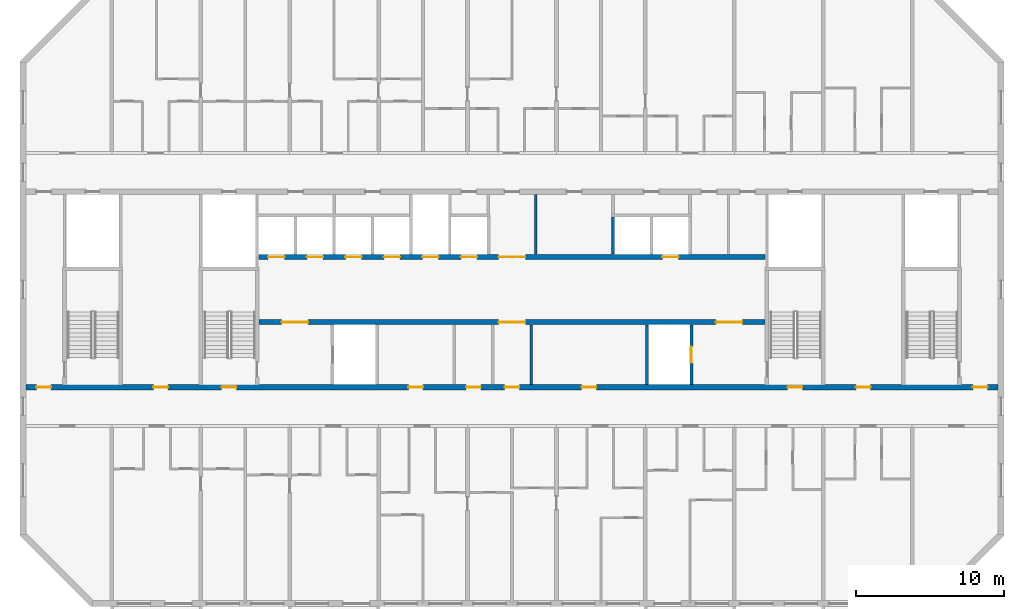
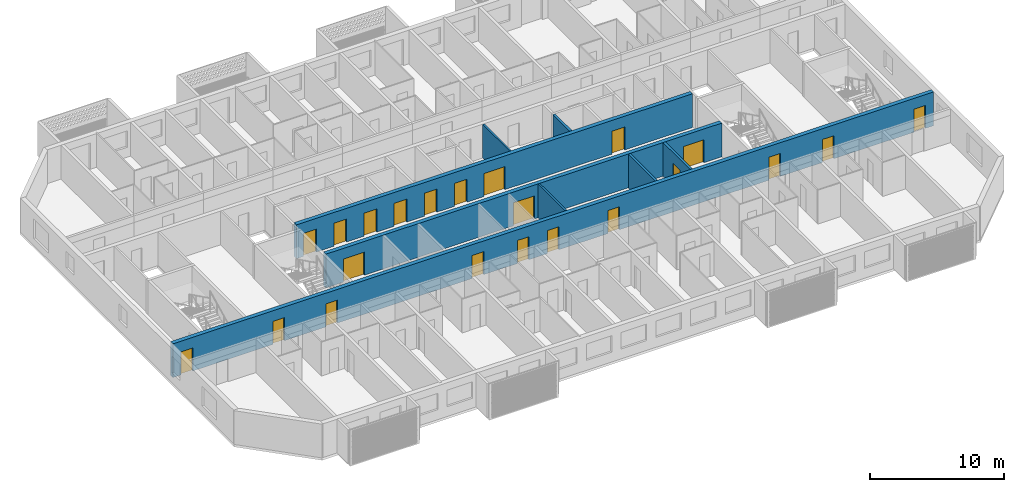
# One storey, part 6 of 26: 22 doors, 8 walls, 22 openings.
"""IFC4 building model written with IfcOpenShell, lengths in metres."""

from ifc_helpers import new_model, si_unit, direction, frame, frame_2d, origin, place, context, subcontext, project, spatial, rectangle, extrude, material, layer, layer_set, type_object, element, fill, save


model = new_model("IFC4")

# Units and contexts
model_context = context("Model", 3, precision=1e-05, world=origin(), true_north=direction((0.0, 1.0)))
body_context = subcontext(model_context, "Body", "Model", "MODEL_VIEW")
ifc_project = project(units=[si_unit("LENGTHUNIT", "METRE"), si_unit("AREAUNIT", "SQUARE_METRE"), si_unit("VOLUMEUNIT", "CUBIC_METRE"), si_unit("PLANEANGLEUNIT", "RADIAN"), si_unit("MASSUNIT", "GRAM", prefix="KILO")], contexts=[model_context])

# Site, building, storey
site_placement = place(None, origin())
site = spatial("IfcSite", under=ifc_project, at=site_placement, CompositionType="ELEMENT")
building_placement = place(site_placement, origin())
building = spatial("IfcBuilding", under=site, at=building_placement, Name="Poui Terraces", CompositionType="ELEMENT")
storey_placement = place(building_placement, frame((0.0, 0.0, 241.199951171875)))
storey = spatial("IfcBuildingStorey", under=building, at=storey_placement, Name="L67", CompositionType="ELEMENT", Elevation=241.199951171875)

# Wall, openings, doors
ifc_material_1 = material(Name="Concrete 50 MPa", Category="concrete")
ifc_layer_1 = layer(ifc_material_1, 0.35009765625)
ifc_layer_set_1 = layer_set([ifc_layer_1], Name="Concrete 50 MPa")
wall_type_1 = type_object("IfcWallType", Name="CORE WALL 350 50 MPA", PredefinedType="SOLIDWALL", material=ifc_layer_set_1)
wall_1_placement = place(storey_placement, frame((33.925048828125, 19.0, 0.0), z_axis=(0.0, 0.0, 1.0), x_axis=(1.0, 0.0, 0.0)))
wall_1 = element("IfcWall", 1, at=wall_1_placement, inside=storey, type_object=wall_type_1, Name="CORE WALL", PredefinedType="SOLIDWALL", context=body_context, shape_type="SweptSolid", body=[
    extrude(rectangle(XDim=34.14990234375, YDim=0.35009765625, at=frame_2d((17.074951171875, 0.0))), origin(), (0.0, 0.0, 1.0), 3.080078125),
])
opening_1_placement = place(wall_1_placement, frame((16.175048828125, 0.0, 0.0)))
opening_1 = element("IfcOpeningElement", 2, at=opening_1_placement, cuts=wall_1, Name="Opening FDD60", PredefinedType="OPENING", context=body_context, shape_type="SweptSolid", body=[
    extrude(rectangle(XDim=1.800048828125, YDim=2.10009765625, at=frame_2d((0.89990234375, 1.050048828125))), frame((0.0, 0.18505859375, 0.0), z_axis=(0.0, -1.0, 0.0), x_axis=(1.0, 0.0, 0.0)), (0.0, 0.0, 1.0), 0.3701171875),
])
opening_2_placement = place(wall_1_placement, frame((1.52490234375, 0.0, 0.0)))
opening_2 = element("IfcOpeningElement", 3, at=opening_2_placement, cuts=wall_1, Name="Opening FDD60", PredefinedType="OPENING", context=body_context, shape_type="SweptSolid", body=[
    extrude(rectangle(XDim=1.800048828125, YDim=2.10009765625, at=frame_2d((0.89990234375, 1.050048828125))), frame((0.0, 0.18505859375, 0.0), z_axis=(0.0, -1.0, 0.0), x_axis=(1.0, 0.0, 0.0)), (0.0, 0.0, 1.0), 0.3701171875),
])
opening_3_placement = place(wall_1_placement, frame((30.824951171875, 0.0, 0.0)))
opening_3 = element("IfcOpeningElement", 4, at=opening_3_placement, cuts=wall_1, Name="Opening FDD60", PredefinedType="OPENING", context=body_context, shape_type="SweptSolid", body=[
    extrude(rectangle(XDim=1.800048828125, YDim=2.10009765625, at=frame_2d((0.89990234375, 1.050048828125))), frame((0.0, 0.18505859375, 0.0), z_axis=(0.0, -1.0, 0.0), x_axis=(1.0, 0.0, 0.0)), (0.0, 0.0, 1.0), 0.3701171875),
])
ifc_material_2 = material(Name="Steel fire door", Category="steel")
door_type_1 = type_object("IfcDoorType", Name="DOUBLE LOBBY FIRE DOOR 1800 X 2100", OperationType="DOUBLE_DOOR_SINGLE_SWING", PredefinedType="DOOR", material=ifc_material_2)
door_1_placement = place(opening_1_placement, frame((1.800048828125, 0.0, 0.0), z_axis=(0.0, 0.0, 1.0), x_axis=(-1.0, 0.0, 0.0)))
door_1 = element("IfcDoor", 5, at=door_1_placement, inside=storey, type_object=door_type_1, Name="DOUBLE LOBBY FIRE DOOR 100", OperationType="DOUBLE_DOOR_SINGLE_SWING", OverallHeight=2.10009765625, OverallWidth=1.800048828125, PredefinedType="DOOR", context=body_context, shape_type="SweptSolid", body=[
    extrude(rectangle(XDim=1.800048828125, YDim=2.10009765625, at=frame_2d((0.89990234375, 1.050048828125))), frame((0.0, 0.02490234375, 0.0), z_axis=(0.0, -1.0, 0.0), x_axis=(1.0, 0.0, 0.0)), (0.0, 0.0, 1.0), 0.050048828125),
])
fill(opening_1, door_1)
door_2_placement = place(opening_2_placement, origin())
door_2 = element("IfcDoor", 6, at=door_2_placement, inside=storey, type_object=door_type_1, Name="DOUBLE LOBBY FIRE DOOR 102", OperationType="DOUBLE_DOOR_SINGLE_SWING", OverallHeight=2.10009765625, OverallWidth=1.800048828125, PredefinedType="DOOR", context=body_context, shape_type="SweptSolid", body=[
    extrude(rectangle(XDim=1.800048828125, YDim=2.10009765625, at=frame_2d((0.89990234375, 1.050048828125))), frame((0.0, 0.02490234375, 0.0), z_axis=(0.0, -1.0, 0.0), x_axis=(1.0, 0.0, 0.0)), (0.0, 0.0, 1.0), 0.050048828125),
])
fill(opening_2, door_2)
door_3_placement = place(opening_3_placement, origin())
door_3 = element("IfcDoor", 7, at=door_3_placement, inside=storey, type_object=door_type_1, Name="DOUBLE LOBBY FIRE DOOR 109", OperationType="DOUBLE_DOOR_SINGLE_SWING", OverallHeight=2.10009765625, OverallWidth=1.800048828125, PredefinedType="DOOR", context=body_context, shape_type="SweptSolid", body=[
    extrude(rectangle(XDim=1.800048828125, YDim=2.10009765625, at=frame_2d((0.89990234375, 1.050048828125))), frame((0.0, 0.02490234375, 0.0), z_axis=(0.0, -1.0, 0.0), x_axis=(1.0, 0.0, 0.0)), (0.0, 0.0, 1.0), 0.050048828125),
])
fill(opening_3, door_3)

wall_2_placement = place(storey_placement, frame((33.925048828125, 23.39990234375, 0.0), z_axis=(0.0, 0.0, 1.0), x_axis=(1.0, 0.0, 0.0)))
wall_2 = element("IfcWall", 8, at=wall_2_placement, inside=storey, type_object=wall_type_1, Name="CORE WALL", PredefinedType="SOLIDWALL", context=body_context, shape_type="SweptSolid", body=[
    extrude(rectangle(XDim=34.14990234375, YDim=0.35009765625, at=frame_2d((17.074951171875, 0.0))), origin(), (0.0, 0.0, 1.0), 3.080078125),
])
opening_4_placement = place(wall_2_placement, frame((16.175048828125, 0.0, 0.0)))
opening_4 = element("IfcOpeningElement", 9, at=opening_4_placement, cuts=wall_2, Name="Opening FDD60", PredefinedType="OPENING", context=body_context, shape_type="SweptSolid", body=[
    extrude(rectangle(XDim=1.800048828125, YDim=2.10009765625, at=frame_2d((0.89990234375, 1.050048828125))), frame((0.0, 0.18505859375, 0.0), z_axis=(0.0, -1.0, 0.0), x_axis=(1.0, 0.0, 0.0)), (0.0, 0.0, 1.0), 0.3701171875),
])
opening_5_placement = place(wall_2_placement, frame((0.625, 0.0, 0.0)))
opening_5 = element("IfcOpeningElement", 10, at=opening_5_placement, cuts=wall_2, Name="Opening LD", PredefinedType="OPENING", context=body_context, shape_type="SweptSolid", body=[
    extrude(rectangle(XDim=1.10009765625, YDim=2.10009765625, at=frame_2d((0.550048828125, 1.050048828125))), frame((0.0, 0.18505859375, 0.0), z_axis=(0.0, -1.0, 0.0), x_axis=(1.0, 0.0, 0.0)), (0.0, 0.0, 1.0), 0.3701171875),
])
opening_6_placement = place(wall_2_placement, frame((3.22509765625, 0.0, 0.0)))
opening_6 = element("IfcOpeningElement", 11, at=opening_6_placement, cuts=wall_2, Name="Opening LD", PredefinedType="OPENING", context=body_context, shape_type="SweptSolid", body=[
    extrude(rectangle(XDim=1.10009765625, YDim=2.10009765625, at=frame_2d((0.550048828125, 1.050048828125))), frame((0.0, 0.18505859375, 0.0), z_axis=(0.0, -1.0, 0.0), x_axis=(1.0, 0.0, 0.0)), (0.0, 0.0, 1.0), 0.3701171875),
])
opening_7_placement = place(wall_2_placement, frame((5.824951171875, 0.0, 0.0)))
opening_7 = element("IfcOpeningElement", 12, at=opening_7_placement, cuts=wall_2, Name="Opening LD", PredefinedType="OPENING", context=body_context, shape_type="SweptSolid", body=[
    extrude(rectangle(XDim=1.10009765625, YDim=2.10009765625, at=frame_2d((0.550048828125, 1.050048828125))), frame((0.0, 0.18505859375, 0.0), z_axis=(0.0, -1.0, 0.0), x_axis=(1.0, 0.0, 0.0)), (0.0, 0.0, 1.0), 0.3701171875),
])
opening_8_placement = place(wall_2_placement, frame((8.425048828125, 0.0, 0.0)))
opening_8 = element("IfcOpeningElement", 13, at=opening_8_placement, cuts=wall_2, Name="Opening LD", PredefinedType="OPENING", context=body_context, shape_type="SweptSolid", body=[
    extrude(rectangle(XDim=1.10009765625, YDim=2.10009765625, at=frame_2d((0.550048828125, 1.050048828125))), frame((0.0, 0.18505859375, 0.0), z_axis=(0.0, -1.0, 0.0), x_axis=(1.0, 0.0, 0.0)), (0.0, 0.0, 1.0), 0.3701171875),
])
opening_9_placement = place(wall_2_placement, frame((11.02490234375, 0.0, 0.0)))
opening_9 = element("IfcOpeningElement", 14, at=opening_9_placement, cuts=wall_2, Name="Opening LD", PredefinedType="OPENING", context=body_context, shape_type="SweptSolid", body=[
    extrude(rectangle(XDim=1.10009765625, YDim=2.10009765625, at=frame_2d((0.550048828125, 1.050048828125))), frame((0.0, 0.18505859375, 0.0), z_axis=(0.0, -1.0, 0.0), x_axis=(1.0, 0.0, 0.0)), (0.0, 0.0, 1.0), 0.3701171875),
])
opening_10_placement = place(wall_2_placement, frame((13.625, 0.0, 0.0)))
opening_10 = element("IfcOpeningElement", 15, at=opening_10_placement, cuts=wall_2, Name="Opening LD", PredefinedType="OPENING", context=body_context, shape_type="SweptSolid", body=[
    extrude(rectangle(XDim=1.10009765625, YDim=2.10009765625, at=frame_2d((0.550048828125, 1.050048828125))), frame((0.0, 0.18505859375, 0.0), z_axis=(0.0, -1.0, 0.0), x_axis=(1.0, 0.0, 0.0)), (0.0, 0.0, 1.0), 0.3701171875),
])
opening_11_placement = place(wall_2_placement, frame((27.22509765625, 0.0, 0.0)))
opening_11 = element("IfcOpeningElement", 16, at=opening_11_placement, cuts=wall_2, Name="Opening LD", PredefinedType="OPENING", context=body_context, shape_type="SweptSolid", body=[
    extrude(rectangle(XDim=1.10009765625, YDim=2.10009765625, at=frame_2d((0.550048828125, 1.050048828125))), frame((0.0, 0.18505859375, 0.0), z_axis=(0.0, -1.0, 0.0), x_axis=(1.0, 0.0, 0.0)), (0.0, 0.0, 1.0), 0.3701171875),
])
door_4_placement = place(opening_4_placement, origin())
door_4 = element("IfcDoor", 17, at=door_4_placement, inside=storey, type_object=door_type_1, Name="DOUBLE LOBBY FIRE DOOR 099", OperationType="DOUBLE_DOOR_SINGLE_SWING", OverallHeight=2.10009765625, OverallWidth=1.800048828125, PredefinedType="DOOR", context=body_context, shape_type="SweptSolid", body=[
    extrude(rectangle(XDim=1.800048828125, YDim=2.10009765625, at=frame_2d((0.89990234375, 1.050048828125))), frame((0.0, 0.02490234375, 0.0), z_axis=(0.0, -1.0, 0.0), x_axis=(1.0, 0.0, 0.0)), (0.0, 0.0, 1.0), 0.050048828125),
])
fill(opening_4, door_4)
ifc_material_3 = material(Name="Stainless steel sliding door", Category="steel")
door_type_2 = type_object("IfcDoorType", Name="LIFT LANDING DOOR 1100 X 2100", OperationType="DOUBLE_DOOR_SLIDING", PredefinedType="DOOR", material=ifc_material_3)
door_5_placement = place(opening_5_placement, origin())
door_5 = element("IfcDoor", 18, at=door_5_placement, inside=storey, type_object=door_type_2, Name="LANDING DOOR", OperationType="DOUBLE_DOOR_SLIDING", OverallHeight=2.10009765625, OverallWidth=1.10009765625, PredefinedType="DOOR", context=body_context, shape_type="SweptSolid", body=[
    extrude(rectangle(XDim=1.10009765625, YDim=2.10009765625, at=frame_2d((0.550048828125, 1.050048828125))), frame((0.0, 0.02490234375, 0.0), z_axis=(0.0, -1.0, 0.0), x_axis=(1.0, 0.0, 0.0)), (0.0, 0.0, 1.0), 0.050048828125),
])
fill(opening_5, door_5)
door_6_placement = place(opening_6_placement, origin())
door_6 = element("IfcDoor", 19, at=door_6_placement, inside=storey, type_object=door_type_2, Name="LANDING DOOR", OperationType="DOUBLE_DOOR_SLIDING", OverallHeight=2.10009765625, OverallWidth=1.10009765625, PredefinedType="DOOR", context=body_context, shape_type="SweptSolid", body=[
    extrude(rectangle(XDim=1.10009765625, YDim=2.10009765625, at=frame_2d((0.550048828125, 1.050048828125))), frame((0.0, 0.02490234375, 0.0), z_axis=(0.0, -1.0, 0.0), x_axis=(1.0, 0.0, 0.0)), (0.0, 0.0, 1.0), 0.050048828125),
])
fill(opening_6, door_6)
door_7_placement = place(opening_7_placement, origin())
door_7 = element("IfcDoor", 20, at=door_7_placement, inside=storey, type_object=door_type_2, Name="LANDING DOOR", OperationType="DOUBLE_DOOR_SLIDING", OverallHeight=2.10009765625, OverallWidth=1.10009765625, PredefinedType="DOOR", context=body_context, shape_type="SweptSolid", body=[
    extrude(rectangle(XDim=1.10009765625, YDim=2.10009765625, at=frame_2d((0.550048828125, 1.050048828125))), frame((0.0, 0.02490234375, 0.0), z_axis=(0.0, -1.0, 0.0), x_axis=(1.0, 0.0, 0.0)), (0.0, 0.0, 1.0), 0.050048828125),
])
fill(opening_7, door_7)
door_8_placement = place(opening_8_placement, origin())
door_8 = element("IfcDoor", 21, at=door_8_placement, inside=storey, type_object=door_type_2, Name="LANDING DOOR", OperationType="DOUBLE_DOOR_SLIDING", OverallHeight=2.10009765625, OverallWidth=1.10009765625, PredefinedType="DOOR", context=body_context, shape_type="SweptSolid", body=[
    extrude(rectangle(XDim=1.10009765625, YDim=2.10009765625, at=frame_2d((0.550048828125, 1.050048828125))), frame((0.0, 0.02490234375, 0.0), z_axis=(0.0, -1.0, 0.0), x_axis=(1.0, 0.0, 0.0)), (0.0, 0.0, 1.0), 0.050048828125),
])
fill(opening_8, door_8)
door_9_placement = place(opening_9_placement, origin())
door_9 = element("IfcDoor", 22, at=door_9_placement, inside=storey, type_object=door_type_2, Name="LANDING DOOR", OperationType="DOUBLE_DOOR_SLIDING", OverallHeight=2.10009765625, OverallWidth=1.10009765625, PredefinedType="DOOR", context=body_context, shape_type="SweptSolid", body=[
    extrude(rectangle(XDim=1.10009765625, YDim=2.10009765625, at=frame_2d((0.550048828125, 1.050048828125))), frame((0.0, 0.02490234375, 0.0), z_axis=(0.0, -1.0, 0.0), x_axis=(1.0, 0.0, 0.0)), (0.0, 0.0, 1.0), 0.050048828125),
])
fill(opening_9, door_9)
door_10_placement = place(opening_10_placement, origin())
door_10 = element("IfcDoor", 23, at=door_10_placement, inside=storey, type_object=door_type_2, Name="LANDING DOOR", OperationType="DOUBLE_DOOR_SLIDING", OverallHeight=2.10009765625, OverallWidth=1.10009765625, PredefinedType="DOOR", context=body_context, shape_type="SweptSolid", body=[
    extrude(rectangle(XDim=1.10009765625, YDim=2.10009765625, at=frame_2d((0.550048828125, 1.050048828125))), frame((0.0, 0.02490234375, 0.0), z_axis=(0.0, -1.0, 0.0), x_axis=(1.0, 0.0, 0.0)), (0.0, 0.0, 1.0), 0.050048828125),
])
fill(opening_10, door_10)
door_11_placement = place(opening_11_placement, origin())
door_11 = element("IfcDoor", 24, at=door_11_placement, inside=storey, type_object=door_type_2, Name="LANDING DOOR", OperationType="DOUBLE_DOOR_SLIDING", OverallHeight=2.10009765625, OverallWidth=1.10009765625, PredefinedType="DOOR", context=body_context, shape_type="SweptSolid", body=[
    extrude(rectangle(XDim=1.10009765625, YDim=2.10009765625, at=frame_2d((0.550048828125, 1.050048828125))), frame((0.0, 0.02490234375, 0.0), z_axis=(0.0, -1.0, 0.0), x_axis=(1.0, 0.0, 0.0)), (0.0, 0.0, 1.0), 0.050048828125),
])
fill(opening_11, door_11)

# Walls
ifc_material_4 = material(Name="Fire-rated plasterboard wall")
ifc_layer_2 = layer(ifc_material_4, 0.14990234375)
ifc_layer_set_2 = layer_set([ifc_layer_2], Name="Fire-rated plasterboard wall")
wall_type_2 = type_object("IfcWallType", Name="CORRIDOR WALL 150", PredefinedType="PARTITIONING", material=ifc_layer_set_2)
for number, where, z_axis, x_axis, name in (
    (25, (52.300048828125, 14.784912109375, 0.0), (0.0, 0.0, 1.0), (0.0, 1.0, 0.0), "CORRIDOR WALL 150"),
    (26, (52.60009765625, 23.5849609375, 0.0), (0.0, 0.0, 1.0), (0.0, 1.0, 0.0), "CORRIDOR WALL 150"),
):
    element("IfcWall", number, at=place(storey_placement, frame(where, z_axis=z_axis, x_axis=x_axis)), inside=storey, type_object=wall_type_2, Name=name, PredefinedType="PARTITIONING", context=body_context, shape_type="SweptSolid", body=[
        extrude(rectangle(XDim=4.030029296875, YDim=0.14990234375, at=frame_2d((2.01513671875, 0.0))), origin(), (0.0, 0.0, 1.0), 3.080078125),
    ])
ifc_material_5 = material(Name="Fire-rated masonry shaft wall", Category="masonry")
ifc_layer_3 = layer(ifc_material_5, 0.199951171875)
ifc_layer_set_3 = layer_set([ifc_layer_3], Name="Fire-rated masonry shaft wall")
wall_type_3 = type_object("IfcWallType", Name="SHAFT WALL 200", PredefinedType="PARTITIONING", material=ifc_layer_set_3)
wall_3_placement = place(storey_placement, frame((57.800048828125, 23.5849609375, 0.0), z_axis=(0.0, 0.0, 1.0), x_axis=(0.0, 1.0, 0.0)))
element("IfcWall", 27, at=wall_3_placement, inside=storey, type_object=wall_type_3, Name="SHAFT WALL 200", PredefinedType="PARTITIONING", context=body_context, shape_type="SweptSolid", body=[
    extrude(rectangle(XDim=2.51513671875, YDim=0.199951171875, at=frame_2d((1.257568359375, 0.0))), origin(), (0.0, 0.0, 1.0), 3.080078125),
])
wall_4_placement = place(storey_placement, frame((60.10009765625, 14.784912109375, 0.0), z_axis=(0.0, 0.0, 1.0), x_axis=(0.0, 1.0, 0.0)))
element("IfcWall", 28, at=wall_4_placement, inside=storey, type_object=wall_type_3, Name="SHAFT WALL 200", PredefinedType="PARTITIONING", context=body_context, shape_type="SweptSolid", body=[
    extrude(rectangle(XDim=4.030029296875, YDim=0.199951171875, at=frame_2d((2.01513671875, 0.0))), origin(), (0.0, 0.0, 1.0), 3.080078125),
])

# Wall, opening, door
wall_5_placement = place(storey_placement, frame((63.10009765625, 14.784912109375, 0.0), z_axis=(0.0, 0.0, 1.0), x_axis=(0.0, 1.0, 0.0)))
wall_5 = element("IfcWall", 29, at=wall_5_placement, inside=storey, type_object=wall_type_3, Name="SHAFT WALL 200", PredefinedType="PARTITIONING", context=body_context, shape_type="SweptSolid", body=[
    extrude(rectangle(XDim=4.030029296875, YDim=0.199951171875, at=frame_2d((2.01513671875, 0.0))), origin(), (0.0, 0.0, 1.0), 3.080078125),
])
opening_12_placement = place(wall_5_placement, frame((1.465087890625, 0.0, 0.0)))
opening_12 = element("IfcOpeningElement", 30, at=opening_12_placement, cuts=wall_5, Name="Opening LD", PredefinedType="OPENING", context=body_context, shape_type="SweptSolid", body=[
    extrude(rectangle(XDim=1.10009765625, YDim=2.10009765625, at=frame_2d((0.550048828125, 1.050048828125))), frame((0.0, 0.10986328125, 0.0), z_axis=(0.0, -1.0, 0.0), x_axis=(1.0, 0.0, 0.0)), (0.0, 0.0, 1.0), 0.219970703125),
])
door_12_placement = place(opening_12_placement, origin())
door_12 = element("IfcDoor", 31, at=door_12_placement, inside=storey, type_object=door_type_2, Name="LANDING DOOR", OperationType="DOUBLE_DOOR_SLIDING", OverallHeight=2.10009765625, OverallWidth=1.10009765625, PredefinedType="DOOR", context=body_context, shape_type="SweptSolid", body=[
    extrude(rectangle(XDim=1.10009765625, YDim=2.10009765625, at=frame_2d((0.550048828125, 1.050048828125))), frame((0.0, 0.02490234375, 0.0), z_axis=(0.0, -1.0, 0.0), x_axis=(1.0, 0.0, 0.0)), (0.0, 0.0, 1.0), 0.050048828125),
])
fill(opening_12, door_12)

# Wall, openings, doors
ifc_layer_4 = layer(ifc_material_1, 0.35009765625)
ifc_layer_set_4 = layer_set([ifc_layer_4], Name="Concrete 50 MPa")
wall_type_4 = type_object("IfcWallType", Name="SPINE WALL 350 50 MPA", PredefinedType="SOLIDWALL", material=ifc_layer_set_4)
wall_6_placement = place(storey_placement, frame((18.199951171875, 14.60009765625, 0.0), z_axis=(0.0, 0.0, 1.0), x_axis=(1.0, 0.0, 0.0)))
wall_6 = element("IfcWall", 32, at=wall_6_placement, inside=storey, type_object=wall_type_4, Name="SPINE WALL", PredefinedType="SOLIDWALL", context=body_context, shape_type="SweptSolid", body=[
    extrude(rectangle(XDim=65.60009765625, YDim=0.35009765625, at=frame_2d((32.800048828125, 0.0))), origin(), (0.0, 0.0, 1.0), 3.080078125),
])
opening_13_placement = place(wall_6_placement, frame((0.699951171875, 0.0, 0.0)))
opening_13 = element("IfcOpeningElement", 33, at=opening_13_placement, cuts=wall_6, Name="Opening FDL", PredefinedType="OPENING", context=body_context, shape_type="SweptSolid", body=[
    extrude(rectangle(XDim=1.0, YDim=2.10009765625, at=frame_2d((0.5, 1.050048828125))), frame((0.0, 0.18505859375, 0.0), z_axis=(0.0, -1.0, 0.0), x_axis=(1.0, 0.0, 0.0)), (0.0, 0.0, 1.0), 0.3701171875),
])
opening_14_placement = place(wall_6_placement, frame((8.60009765625, 0.0, 0.0)))
opening_14 = element("IfcOpeningElement", 34, at=opening_14_placement, cuts=wall_6, Name="Opening D100", PredefinedType="OPENING", context=body_context, shape_type="SweptSolid", body=[
    extrude(rectangle(XDim=1.0, YDim=2.10009765625, at=frame_2d((0.5, 1.050048828125))), frame((0.0, 0.18505859375, 0.0), z_axis=(0.0, -1.0, 0.0), x_axis=(1.0, 0.0, 0.0)), (0.0, 0.0, 1.0), 0.3701171875),
])
opening_15_placement = place(wall_6_placement, frame((13.199951171875, 0.0, 0.0)))
opening_15 = element("IfcOpeningElement", 35, at=opening_15_placement, cuts=wall_6, Name="Opening FD60S", PredefinedType="OPENING", context=body_context, shape_type="SweptSolid", body=[
    extrude(rectangle(XDim=1.0, YDim=2.10009765625, at=frame_2d((0.5, 1.050048828125))), frame((0.0, 0.18505859375, 0.0), z_axis=(0.0, -1.0, 0.0), x_axis=(1.0, 0.0, 0.0)), (0.0, 0.0, 1.0), 0.3701171875),
])
opening_16_placement = place(wall_6_placement, frame((25.800048828125, 0.0, 0.0)))
opening_16 = element("IfcOpeningElement", 36, at=opening_16_placement, cuts=wall_6, Name="Opening FD60", PredefinedType="OPENING", context=body_context, shape_type="SweptSolid", body=[
    extrude(rectangle(XDim=1.0, YDim=2.10009765625, at=frame_2d((0.5, 1.050048828125))), frame((0.0, 0.18505859375, 0.0), z_axis=(0.0, -1.0, 0.0), x_axis=(1.0, 0.0, 0.0)), (0.0, 0.0, 1.0), 0.3701171875),
])
opening_17_placement = place(wall_6_placement, frame((29.699951171875, 0.0, 0.0)))
opening_17 = element("IfcOpeningElement", 37, at=opening_17_placement, cuts=wall_6, Name="Opening FD60", PredefinedType="OPENING", context=body_context, shape_type="SweptSolid", body=[
    extrude(rectangle(XDim=1.0, YDim=2.10009765625, at=frame_2d((0.5, 1.050048828125))), frame((0.0, 0.18505859375, 0.0), z_axis=(0.0, -1.0, 0.0), x_axis=(1.0, 0.0, 0.0)), (0.0, 0.0, 1.0), 0.3701171875),
])
opening_18_placement = place(wall_6_placement, frame((32.300048828125, 0.0, 0.0)))
opening_18 = element("IfcOpeningElement", 38, at=opening_18_placement, cuts=wall_6, Name="Opening FDL", PredefinedType="OPENING", context=body_context, shape_type="SweptSolid", body=[
    extrude(rectangle(XDim=1.0, YDim=2.10009765625, at=frame_2d((0.5, 1.050048828125))), frame((0.0, 0.18505859375, 0.0), z_axis=(0.0, -1.0, 0.0), x_axis=(1.0, 0.0, 0.0)), (0.0, 0.0, 1.0), 0.3701171875),
])
opening_19_placement = place(wall_6_placement, frame((37.5, 0.0, 0.0)))
opening_19 = element("IfcOpeningElement", 39, at=opening_19_placement, cuts=wall_6, Name="Opening FD60", PredefinedType="OPENING", context=body_context, shape_type="SweptSolid", body=[
    extrude(rectangle(XDim=1.0, YDim=2.10009765625, at=frame_2d((0.5, 1.050048828125))), frame((0.0, 0.18505859375, 0.0), z_axis=(0.0, -1.0, 0.0), x_axis=(1.0, 0.0, 0.0)), (0.0, 0.0, 1.0), 0.3701171875),
])
opening_20_placement = place(wall_6_placement, frame((51.39990234375, 0.0, 0.0)))
opening_20 = element("IfcOpeningElement", 40, at=opening_20_placement, cuts=wall_6, Name="Opening FD60S", PredefinedType="OPENING", context=body_context, shape_type="SweptSolid", body=[
    extrude(rectangle(XDim=1.0, YDim=2.10009765625, at=frame_2d((0.5, 1.050048828125))), frame((0.0, 0.18505859375, 0.0), z_axis=(0.0, -1.0, 0.0), x_axis=(1.0, 0.0, 0.0)), (0.0, 0.0, 1.0), 0.3701171875),
])
opening_21_placement = place(wall_6_placement, frame((56.0, 0.0, 0.0)))
opening_21 = element("IfcOpeningElement", 41, at=opening_21_placement, cuts=wall_6, Name="Opening D100", PredefinedType="OPENING", context=body_context, shape_type="SweptSolid", body=[
    extrude(rectangle(XDim=1.0, YDim=2.10009765625, at=frame_2d((0.5, 1.050048828125))), frame((0.0, 0.18505859375, 0.0), z_axis=(0.0, -1.0, 0.0), x_axis=(1.0, 0.0, 0.0)), (0.0, 0.0, 1.0), 0.3701171875),
])
opening_22_placement = place(wall_6_placement, frame((63.89990234375, 0.0, 0.0)))
opening_22 = element("IfcOpeningElement", 42, at=opening_22_placement, cuts=wall_6, Name="Opening FDL", PredefinedType="OPENING", context=body_context, shape_type="SweptSolid", body=[
    extrude(rectangle(XDim=1.0, YDim=2.10009765625, at=frame_2d((0.5, 1.050048828125))), frame((0.0, 0.18505859375, 0.0), z_axis=(0.0, -1.0, 0.0), x_axis=(1.0, 0.0, 0.0)), (0.0, 0.0, 1.0), 0.3701171875),
])
ifc_material_6 = material(Name="Solid core timber door", Category="wood")
door_type_3 = type_object("IfcDoorType", Name="ACCESSIBLE INTERNAL DOOR 1000 X 2100", OperationType="NOTDEFINED", PredefinedType="DOOR", material=ifc_material_6)
door_13_placement = place(opening_14_placement, frame((1.0, 0.0, 0.0), z_axis=(0.0, 0.0, 1.0), x_axis=(-1.0, 0.0, 0.0)))
door_13 = element("IfcDoor", 43, at=door_13_placement, inside=storey, type_object=door_type_3, Name="ACCESSIBLE INTERNAL DOOR 016", OperationType="SINGLE_SWING_LEFT", OverallHeight=2.10009765625, OverallWidth=1.0, PredefinedType="DOOR", context=body_context, shape_type="SweptSolid", body=[
    extrude(rectangle(XDim=1.0, YDim=2.10009765625, at=frame_2d((0.5, 1.050048828125))), frame((0.0, 0.02490234375, 0.0), z_axis=(0.0, -1.0, 0.0), x_axis=(1.0, 0.0, 0.0)), (0.0, 0.0, 1.0), 0.050048828125),
])
fill(opening_14, door_13)
door_14_placement = place(opening_21_placement, frame((1.0, 0.0, 0.0), z_axis=(0.0, 0.0, 1.0), x_axis=(-1.0, 0.0, 0.0)))
door_14 = element("IfcDoor", 44, at=door_14_placement, inside=storey, type_object=door_type_3, Name="ACCESSIBLE INTERNAL DOOR 023", OperationType="SINGLE_SWING_RIGHT", OverallHeight=2.10009765625, OverallWidth=1.0, PredefinedType="DOOR", context=body_context, shape_type="SweptSolid", body=[
    extrude(rectangle(XDim=1.0, YDim=2.10009765625, at=frame_2d((0.5, 1.050048828125))), frame((0.0, 0.02490234375, 0.0), z_axis=(0.0, -1.0, 0.0), x_axis=(1.0, 0.0, 0.0)), (0.0, 0.0, 1.0), 0.050048828125),
])
fill(opening_21, door_14)
door_type_4 = type_object("IfcDoorType", Name="LOBBY FIRE DOOR 1000 X 2100", OperationType="NOTDEFINED", PredefinedType="DOOR", material=ifc_material_2)
door_15_placement = place(opening_13_placement, frame((1.0, 0.0, 0.0), z_axis=(0.0, 0.0, 1.0), x_axis=(-1.0, 0.0, 0.0)))
door_15 = element("IfcDoor", 45, at=door_15_placement, inside=storey, type_object=door_type_4, Name="LOBBY FIRE DOOR 015", OperationType="SINGLE_SWING_RIGHT", OverallHeight=2.10009765625, OverallWidth=1.0, PredefinedType="DOOR", context=body_context, shape_type="SweptSolid", body=[
    extrude(rectangle(XDim=1.0, YDim=2.10009765625, at=frame_2d((0.5, 1.050048828125))), frame((0.0, 0.02490234375, 0.0), z_axis=(0.0, -1.0, 0.0), x_axis=(1.0, 0.0, 0.0)), (0.0, 0.0, 1.0), 0.050048828125),
])
fill(opening_13, door_15)
door_16_placement = place(opening_18_placement, frame((1.0, 0.0, 0.0), z_axis=(0.0, 0.0, 1.0), x_axis=(-1.0, 0.0, 0.0)))
door_16 = element("IfcDoor", 46, at=door_16_placement, inside=storey, type_object=door_type_4, Name="LOBBY FIRE DOOR 020", OperationType="SINGLE_SWING_LEFT", OverallHeight=2.10009765625, OverallWidth=1.0, PredefinedType="DOOR", context=body_context, shape_type="SweptSolid", body=[
    extrude(rectangle(XDim=1.0, YDim=2.10009765625, at=frame_2d((0.5, 1.050048828125))), frame((0.0, 0.02490234375, 0.0), z_axis=(0.0, -1.0, 0.0), x_axis=(1.0, 0.0, 0.0)), (0.0, 0.0, 1.0), 0.050048828125),
])
fill(opening_18, door_16)
door_17_placement = place(opening_22_placement, frame((1.0, 0.0, 0.0), z_axis=(0.0, 0.0, 1.0), x_axis=(-1.0, 0.0, 0.0)))
door_17 = element("IfcDoor", 47, at=door_17_placement, inside=storey, type_object=door_type_4, Name="LOBBY FIRE DOOR 024", OperationType="SINGLE_SWING_LEFT", OverallHeight=2.10009765625, OverallWidth=1.0, PredefinedType="DOOR", context=body_context, shape_type="SweptSolid", body=[
    extrude(rectangle(XDim=1.0, YDim=2.10009765625, at=frame_2d((0.5, 1.050048828125))), frame((0.0, 0.02490234375, 0.0), z_axis=(0.0, -1.0, 0.0), x_axis=(1.0, 0.0, 0.0)), (0.0, 0.0, 1.0), 0.050048828125),
])
fill(opening_22, door_17)
door_type_5 = type_object("IfcDoorType", Name="SERVICE ROOM FIRE DOOR 1000 X 2100", OperationType="NOTDEFINED", PredefinedType="DOOR", material=ifc_material_2)
door_18_placement = place(opening_16_placement, frame((1.0, 0.0, 0.0), z_axis=(0.0, 0.0, 1.0), x_axis=(-1.0, 0.0, 0.0)))
door_18 = element("IfcDoor", 48, at=door_18_placement, inside=storey, type_object=door_type_5, Name="SERVICE ROOM FIRE DOOR 018", OperationType="SINGLE_SWING_LEFT", OverallHeight=2.10009765625, OverallWidth=1.0, PredefinedType="DOOR", context=body_context, shape_type="SweptSolid", body=[
    extrude(rectangle(XDim=1.0, YDim=2.10009765625, at=frame_2d((0.5, 1.050048828125))), frame((0.0, 0.02490234375, 0.0), z_axis=(0.0, -1.0, 0.0), x_axis=(1.0, 0.0, 0.0)), (0.0, 0.0, 1.0), 0.050048828125),
])
fill(opening_16, door_18)
door_19_placement = place(opening_17_placement, frame((1.0, 0.0, 0.0), z_axis=(0.0, 0.0, 1.0), x_axis=(-1.0, 0.0, 0.0)))
door_19 = element("IfcDoor", 49, at=door_19_placement, inside=storey, type_object=door_type_5, Name="SERVICE ROOM FIRE DOOR 019", OperationType="SINGLE_SWING_RIGHT", OverallHeight=2.10009765625, OverallWidth=1.0, PredefinedType="DOOR", context=body_context, shape_type="SweptSolid", body=[
    extrude(rectangle(XDim=1.0, YDim=2.10009765625, at=frame_2d((0.5, 1.050048828125))), frame((0.0, 0.02490234375, 0.0), z_axis=(0.0, -1.0, 0.0), x_axis=(1.0, 0.0, 0.0)), (0.0, 0.0, 1.0), 0.050048828125),
])
fill(opening_17, door_19)
door_20_placement = place(opening_19_placement, frame((1.0, 0.0, 0.0), z_axis=(0.0, 0.0, 1.0), x_axis=(-1.0, 0.0, 0.0)))
door_20 = element("IfcDoor", 50, at=door_20_placement, inside=storey, type_object=door_type_5, Name="SERVICE ROOM FIRE DOOR 021", OperationType="SINGLE_SWING_LEFT", OverallHeight=2.10009765625, OverallWidth=1.0, PredefinedType="DOOR", context=body_context, shape_type="SweptSolid", body=[
    extrude(rectangle(XDim=1.0, YDim=2.10009765625, at=frame_2d((0.5, 1.050048828125))), frame((0.0, 0.02490234375, 0.0), z_axis=(0.0, -1.0, 0.0), x_axis=(1.0, 0.0, 0.0)), (0.0, 0.0, 1.0), 0.050048828125),
])
fill(opening_19, door_20)
door_type_6 = type_object("IfcDoorType", Name="STAIR DOOR 1000 X 2100", OperationType="NOTDEFINED", PredefinedType="DOOR", material=ifc_material_2)
door_21_placement = place(opening_15_placement, origin())
door_21 = element("IfcDoor", 51, at=door_21_placement, inside=storey, type_object=door_type_6, Name="STAIR DOOR 017", OperationType="SINGLE_SWING_RIGHT", OverallHeight=2.10009765625, OverallWidth=1.0, PredefinedType="DOOR", context=body_context, shape_type="SweptSolid", body=[
    extrude(rectangle(XDim=1.0, YDim=2.10009765625, at=frame_2d((0.5, 1.050048828125))), frame((0.0, 0.02490234375, 0.0), z_axis=(0.0, -1.0, 0.0), x_axis=(1.0, 0.0, 0.0)), (0.0, 0.0, 1.0), 0.050048828125),
])
fill(opening_15, door_21)
door_22_placement = place(opening_20_placement, origin())
door_22 = element("IfcDoor", 52, at=door_22_placement, inside=storey, type_object=door_type_6, Name="STAIR DOOR 022", OperationType="SINGLE_SWING_RIGHT", OverallHeight=2.10009765625, OverallWidth=1.0, PredefinedType="DOOR", context=body_context, shape_type="SweptSolid", body=[
    extrude(rectangle(XDim=1.0, YDim=2.10009765625, at=frame_2d((0.5, 1.050048828125))), frame((0.0, 0.02490234375, 0.0), z_axis=(0.0, -1.0, 0.0), x_axis=(1.0, 0.0, 0.0)), (0.0, 0.0, 1.0), 0.050048828125),
])
fill(opening_20, door_22)

save(model, "model.ifc")
